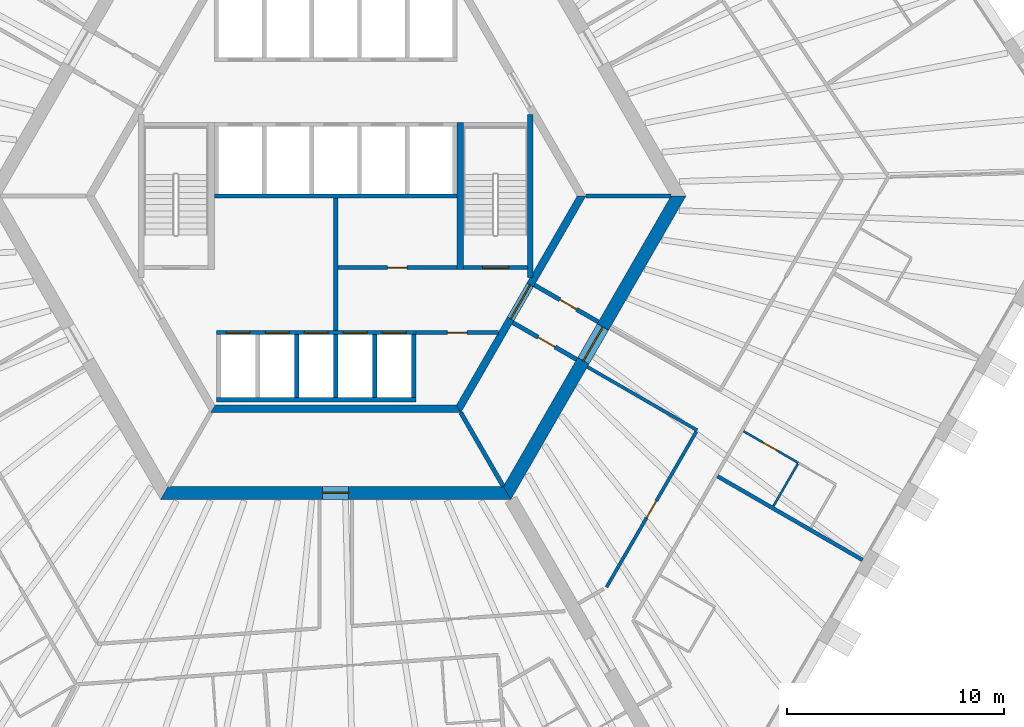
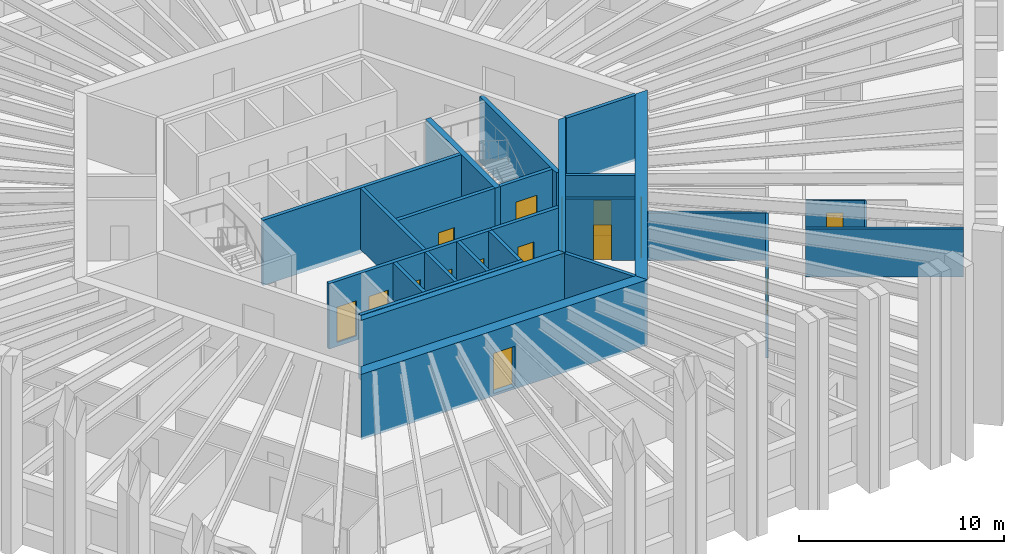
# One storey, part 5 of 13: 26 walls, 15 doors, 15 openings.
"""IFC4 building model written with IfcOpenShell, lengths in metres."""

from ifc_helpers import new_model, si_unit, direction, frame, frame_2d, origin, place, context, subcontext, project, spatial, polyline, rectangle, outline, extrude, material, layer, layer_set, type_object, element, fill, save


model = new_model("IFC4")

# Units and contexts
model_context = context("Model", 3, precision=1e-05, world=origin(), true_north=direction((0.0, 1.0)))
body_context = subcontext(model_context, "Body", "Model", "MODEL_VIEW")
ifc_project = project(units=[si_unit("LENGTHUNIT", "METRE"), si_unit("AREAUNIT", "SQUARE_METRE"), si_unit("VOLUMEUNIT", "CUBIC_METRE"), si_unit("PLANEANGLEUNIT", "RADIAN"), si_unit("MASSUNIT", "GRAM", prefix="KILO")], contexts=[model_context])

# Site, building, storey
site_placement = place(None, origin())
site = spatial("IfcSite", under=ifc_project, at=site_placement, CompositionType="ELEMENT")
building_placement = place(site_placement, origin())
building = spatial("IfcBuilding", under=site, at=building_placement, Name="Tarnside Tower", CompositionType="ELEMENT")
storey_placement = place(building_placement, frame((0.0, 0.0, 135.0)))
storey = spatial("IfcBuildingStorey", under=building, at=storey_placement, Name="L31", CompositionType="ELEMENT", Elevation=135.0)

# Wall, opening, door
ifc_material_1 = material(Name="Gypsum board partition on steel studs", Category="steel")
ifc_layer_1 = layer(ifc_material_1, 0.10009765625)
ifc_layer_set_1 = layer_set([ifc_layer_1], Name="Bathroom wall 100")
wall_type_1 = type_object("IfcWallType", Name="Bathroom wall 100", PredefinedType="PARTITIONING", material=ifc_layer_set_1)
wall_1_placement = place(storey_placement, frame((18.81982421875, -10.85302734375, 0.0), z_axis=(0.0, 0.0, 1.0), x_axis=(0.866046596414, -0.499963291492, 0.0)))
wall_1 = element("IfcWall", 1, at=wall_1_placement, inside=storey, type_object=wall_type_1, Name="Bathroom wall 10138", PredefinedType="PARTITIONING", context=body_context, shape_type="SweptSolid", body=[
    extrude(rectangle(XDim=2.925048828125, YDim=0.10009765625, at=frame_2d((1.46240234375, 0.0))), origin(), (0.0, 0.0, 1.0), 2.837890625),
])
opening_1_placement = place(wall_1_placement, frame((1.02490234375, 0.0, 0.0)))
opening_1 = element("IfcOpeningElement", 2, at=opening_1_placement, cuts=wall_1, Name="Opening D-B1", PredefinedType="OPENING", context=body_context, shape_type="SweptSolid", body=[
    extrude(rectangle(XDim=0.800048828125, YDim=2.10009765625, at=frame_2d((0.39990234375, 1.050048828125))), frame((0.0, 0.06005859375, 0.0), z_axis=(0.0, -1.0, 0.0), x_axis=(1.0, 0.0, 0.0)), (0.0, 0.0, 1.0), 0.1201171875),
])
ifc_material_2 = material(Name="Timber door leaf", Category="wood")
door_type_1 = type_object("IfcDoorType", Name="Bathroom door 800", OperationType="NOTDEFINED", PredefinedType="DOOR", material=ifc_material_2)
door_1_placement = place(opening_1_placement, origin())
door_1 = element("IfcDoor", 3, at=door_1_placement, inside=storey, type_object=door_type_1, Name="Bathroom door 10032", OperationType="SINGLE_SWING_RIGHT", OverallHeight=2.10009765625, OverallWidth=0.800048828125, PredefinedType="DOOR", context=body_context, shape_type="SweptSolid", body=[
    extrude(rectangle(XDim=0.800048828125, YDim=2.10009765625, at=frame_2d((0.39990234375, 1.050048828125))), frame((0.0, 0.02490234375, 0.0), z_axis=(0.0, -1.0, 0.0), x_axis=(1.0, 0.0, 0.0)), (0.0, 0.0, 1.0), 0.050048828125),
])
fill(opening_1, door_1)

# Walls
wall_2_placement = place(storey_placement, frame((20.197998046875, -14.31591796875, 0.0), z_axis=(0.0, 0.0, 1.0), x_axis=(0.500031020067, 0.8660074936, 0.0)))
element("IfcWall", 4, at=wall_2_placement, inside=storey, type_object=wall_type_1, Name="Bathroom wall 10143", PredefinedType="PARTITIONING", context=body_context, shape_type="SweptSolid", body=[
    extrude(rectangle(XDim=2.260009765625, YDim=0.10009765625, at=frame_2d((1.1298828125, 0.0))), origin(), (0.0, 0.0, 1.0), 2.837890625),
])
ifc_material_3 = material(Name="Concrete C50/60", Category="concrete")
ifc_layer_2 = layer(ifc_material_3, 0.35009765625)
ifc_layer_set_2 = layer_set([ifc_layer_2], Name="Core block wall 350 C50/60")
wall_type_2 = type_object("IfcWallType", Name="Core block wall 350 C50/60", PredefinedType="SHEAR", material=ifc_layer_set_2)
wall_3_placement = place(storey_placement, frame((-5.672607421875, -9.824951171875, -0.14990234375), z_axis=(0.0, 0.0, 1.0), x_axis=(1.0, 0.0, 0.0)))
element("IfcWall", 5, at=wall_3_placement, inside=storey, type_object=wall_type_2, Name="L31 core block wall face 4", PredefinedType="SHEAR", context=body_context, shape_type="SweptSolid", body=[
    extrude(outline(polyline([(-0.10107421875, -0.175048828125), (11.4462890625, -0.175048828125), (11.244140625, 0.175048828125), (0.10107421875, 0.175048828125), (-0.10107421875, -0.175048828125)])), origin(), (0.0, 0.0, 1.0), 3.89990234375),
])

# Wall, opening, door
wall_4_placement = place(storey_placement, frame((5.672607421875, -9.824951171875, -0.14990234375), z_axis=(0.0, 0.0, 1.0), x_axis=(0.499995046907, 0.866028263435, 0.0)))
wall_4 = element("IfcWall", 6, at=wall_4_placement, inside=storey, type_object=wall_type_2, Name="L31 core block wall face 5", PredefinedType="SHEAR", context=body_context, shape_type="SweptSolid", body=[
    extrude(outline(polyline([(-0.10107421875, -0.175048828125), (11.44580078125, -0.175048828125), (11.24365234375, 0.175048828125), (0.10107421875, 0.175048828125), (-0.10107421875, -0.175048828125)])), origin(), (0.0, 0.0, 1.0), 3.89990234375),
])
opening_2_placement = place(wall_4_placement, frame((4.80126953125, 0.0, 0.14990234375)))
opening_2 = element("IfcOpeningElement", 7, at=opening_2_placement, cuts=wall_4, Name="Opening CD-FFL", PredefinedType="OPENING", context=body_context, shape_type="SweptSolid", body=[
    extrude(rectangle(XDim=1.800048828125, YDim=2.39990234375, at=frame_2d((0.89990234375, 1.199951171875))), frame((0.0, 0.18505859375, 0.0), z_axis=(0.0, -1.0, 0.0), x_axis=(1.0, 0.0, 0.0)), (0.0, 0.0, 1.0), 0.3701171875),
])
ifc_material_4 = material(Name="Steel fire door", Category="steel")
door_type_2 = type_object("IfcDoorType", Name="Firefighting lobby double door FD60S 1800x2400", OperationType="NOTDEFINED", PredefinedType="DOOR", material=ifc_material_4)
door_2_placement = place(opening_2_placement, origin())
door_2 = element("IfcDoor", 8, at=door_2_placement, inside=storey, type_object=door_type_2, Name="L31 lobby block door P4", OperationType="DOUBLE_DOOR_SINGLE_SWING", OverallHeight=2.39990234375, OverallWidth=1.800048828125, PredefinedType="DOOR", context=body_context, shape_type="SweptSolid", body=[
    extrude(rectangle(XDim=1.800048828125, YDim=2.39990234375, at=frame_2d((0.89990234375, 1.199951171875))), frame((0.0, 0.02490234375, 0.0), z_axis=(0.0, -1.0, 0.0), x_axis=(1.0, 0.0, 0.0)), (0.0, 0.0, 1.0), 0.050048828125),
])
fill(opening_2, door_2)

ifc_material_5 = material(Name="Concrete C40/50", Category="concrete")
ifc_layer_3 = layer(ifc_material_5, 0.199951171875)
ifc_layer_set_3 = layer_set([ifc_layer_3], Name="Core room partition 200 C40/50")
wall_type_3 = type_object("IfcWallType", Name="Core room partition 200 C40/50", PredefinedType="PARTITIONING", material=ifc_layer_set_3)
wall_5_placement = place(storey_placement, frame((0.10009765625, -3.300048828125, 0.0), z_axis=(0.0, 0.0, 1.0), x_axis=(1.0, 0.0, 0.0)))
wall_5 = element("IfcWall", 9, at=wall_5_placement, inside=storey, type_object=wall_type_3, Name="L31 core partition R3S1", PredefinedType="PARTITIONING", context=body_context, shape_type="SweptSolid", body=[
    extrude(rectangle(XDim=5.5, YDim=0.199951171875, at=frame_2d((2.75, 0.0))), origin(), (0.0, 0.0, 1.0), 3.64990234375),
])
opening_3_placement = place(wall_5_placement, frame((2.300048828125, 0.0, 0.0)))
opening_3 = element("IfcOpeningElement", 10, at=opening_3_placement, cuts=wall_5, Name="Opening CD-room", PredefinedType="OPENING", context=body_context, shape_type="SweptSolid", body=[
    extrude(rectangle(XDim=0.89990234375, YDim=2.10009765625, at=frame_2d((0.449951171875, 1.050048828125))), frame((0.0, 0.10986328125, 0.0), z_axis=(0.0, -1.0, 0.0), x_axis=(1.0, 0.0, 0.0)), (0.0, 0.0, 1.0), 0.219970703125),
])
door_type_3 = type_object("IfcDoorType", Name="Room door FD60 900x2100", OperationType="NOTDEFINED", PredefinedType="DOOR", material=ifc_material_4)
door_3_placement = place(opening_3_placement, origin())
door_3 = element("IfcDoor", 11, at=door_3_placement, inside=storey, type_object=door_type_3, Name="L31 core room door SR1", OperationType="SINGLE_SWING_LEFT", OverallHeight=2.10009765625, OverallWidth=0.89990234375, PredefinedType="DOOR", context=body_context, shape_type="SweptSolid", body=[
    extrude(rectangle(XDim=0.89990234375, YDim=2.10009765625, at=frame_2d((0.449951171875, 1.050048828125))), frame((0.0, 0.02490234375, 0.0), z_axis=(0.0, -1.0, 0.0), x_axis=(1.0, 0.0, 0.0)), (0.0, 0.0, 1.0), 0.050048828125),
])
fill(opening_3, door_3)

# Wall
wall_6_placement = place(storey_placement, frame((0.0, -6.199951171875, 0.0), z_axis=(0.0, 0.0, 1.0), x_axis=(0.0, 1.0, 0.0)))
element("IfcWall", 12, at=wall_6_placement, inside=storey, type_object=wall_type_3, Name="L31 core partition X0", PredefinedType="PARTITIONING", context=body_context, shape_type="SweptSolid", body=[
    extrude(rectangle(XDim=6.099853515625, YDim=0.199951171875, at=frame_2d((3.0498046875, 0.0))), origin(), (0.0, 0.0, 1.0), 3.64990234375),
])

# Wall, opening, door
wall_7_placement = place(storey_placement, frame((3.699951171875, -6.300048828125, 0.0), z_axis=(0.0, 0.0, 1.0), x_axis=(1.0, 0.0, 0.0)))
wall_7 = element("IfcWall", 13, at=wall_7_placement, inside=storey, type_object=wall_type_3, Name="L31 core partition R4X", PredefinedType="PARTITIONING", context=body_context, shape_type="SweptSolid", body=[
    extrude(rectangle(XDim=3.8056640625, YDim=0.199951171875, at=frame_2d((1.90283203125, 0.0))), origin(), (0.0, 0.0, 1.0), 3.64990234375),
])
opening_4_placement = place(wall_7_placement, frame((1.452880859375, 0.0, 0.0)))
opening_4 = element("IfcOpeningElement", 14, at=opening_4_placement, cuts=wall_7, Name="Opening CD-room", PredefinedType="OPENING", context=body_context, shape_type="SweptSolid", body=[
    extrude(rectangle(XDim=0.89990234375, YDim=2.10009765625, at=frame_2d((0.449951171875, 1.050048828125))), frame((0.0, 0.10986328125, 0.0), z_axis=(0.0, -1.0, 0.0), x_axis=(1.0, 0.0, 0.0)), (0.0, 0.0, 1.0), 0.219970703125),
])
door_4_placement = place(opening_4_placement, origin())
door_4 = element("IfcDoor", 15, at=door_4_placement, inside=storey, type_object=door_type_3, Name="L31 core room door RX", OperationType="SINGLE_SWING_LEFT", OverallHeight=2.10009765625, OverallWidth=0.89990234375, PredefinedType="DOOR", context=body_context, shape_type="SweptSolid", body=[
    extrude(rectangle(XDim=0.89990234375, YDim=2.10009765625, at=frame_2d((0.449951171875, 1.050048828125))), frame((0.0, 0.02490234375, 0.0), z_axis=(0.0, -1.0, 0.0), x_axis=(1.0, 0.0, 0.0)), (0.0, 0.0, 1.0), 0.050048828125),
])
fill(opening_4, door_4)

wall_8_placement = place(storey_placement, frame((9.1748046875, -4.10888671875, 0.0), z_axis=(0.0, 0.0, 1.0), x_axis=(0.865989465428, -0.500062241894, 0.0)))
wall_8 = element("IfcWall", 16, at=wall_8_placement, inside=storey, type_object=wall_type_3, Name="L31 core partition AC4L", PredefinedType="PARTITIONING", context=body_context, shape_type="SweptSolid", body=[
    extrude(rectangle(XDim=3.39990234375, YDim=0.199951171875, at=frame_2d((1.699951171875, 0.0))), origin(), (0.0, 0.0, 1.0), 3.64990234375),
])
opening_5_placement = place(wall_8_placement, frame((1.3505859375, 0.0, 0.0)))
opening_5 = element("IfcOpeningElement", 17, at=opening_5_placement, cuts=wall_8, Name="Opening CD-room", PredefinedType="OPENING", context=body_context, shape_type="SweptSolid", body=[
    extrude(rectangle(XDim=0.89990234375, YDim=2.10009765625, at=frame_2d((0.449951171875, 1.050048828125))), frame((0.0, 0.10986328125, 0.0), z_axis=(0.0, -1.0, 0.0), x_axis=(1.0, 0.0, 0.0)), (0.0, 0.0, 1.0), 0.219970703125),
])
door_5_placement = place(opening_5_placement, origin())
door_5 = element("IfcDoor", 18, at=door_5_placement, inside=storey, type_object=door_type_3, Name="L31 core room door AX4L", OperationType="SINGLE_SWING_LEFT", OverallHeight=2.10009765625, OverallWidth=0.89990234375, PredefinedType="DOOR", context=body_context, shape_type="SweptSolid", body=[
    extrude(rectangle(XDim=0.89990234375, YDim=2.10009765625, at=frame_2d((0.449951171875, 1.050048828125))), frame((0.0, 0.02490234375, 0.0), z_axis=(0.0, -1.0, 0.0), x_axis=(1.0, 0.0, 0.0)), (0.0, 0.0, 1.0), 0.050048828125),
])
fill(opening_5, door_5)

wall_9_placement = place(storey_placement, frame((8.1748046875, -5.841064453125, 0.0), z_axis=(0.0, 0.0, 1.0), x_axis=(0.866020560687, -0.500008388397, 0.0)))
wall_9 = element("IfcWall", 19, at=wall_9_placement, inside=storey, type_object=wall_type_3, Name="L31 core partition AC4R", PredefinedType="PARTITIONING", context=body_context, shape_type="SweptSolid", body=[
    extrude(rectangle(XDim=3.39990234375, YDim=0.199951171875, at=frame_2d((1.699951171875, 0.0))), origin(), (0.0, 0.0, 1.0), 3.64990234375),
])
opening_6_placement = place(wall_9_placement, frame((1.349609375, 0.0, 0.0)))
opening_6 = element("IfcOpeningElement", 20, at=opening_6_placement, cuts=wall_9, Name="Opening CD-room", PredefinedType="OPENING", context=body_context, shape_type="SweptSolid", body=[
    extrude(rectangle(XDim=0.89990234375, YDim=2.10009765625, at=frame_2d((0.449951171875, 1.050048828125))), frame((0.0, 0.10986328125, 0.0), z_axis=(0.0, -1.0, 0.0), x_axis=(1.0, 0.0, 0.0)), (0.0, 0.0, 1.0), 0.219970703125),
])
door_6_placement = place(opening_6_placement, origin())
door_6 = element("IfcDoor", 21, at=door_6_placement, inside=storey, type_object=door_type_3, Name="L31 core room door AX4R", OperationType="SINGLE_SWING_LEFT", OverallHeight=2.10009765625, OverallWidth=0.89990234375, PredefinedType="DOOR", context=body_context, shape_type="SweptSolid", body=[
    extrude(rectangle(XDim=0.89990234375, YDim=2.10009765625, at=frame_2d((0.449951171875, 1.050048828125))), frame((0.0, 0.02490234375, 0.0), z_axis=(0.0, -1.0, 0.0), x_axis=(1.0, 0.0, 0.0)), (0.0, 0.0, 1.0), 0.050048828125),
])
fill(opening_6, door_6)

ifc_material_6 = material(Name="Concrete C80/95", Category="concrete")
ifc_layer_4 = layer(ifc_material_6, 0.60009765625)
ifc_layer_set_4 = layer_set([ifc_layer_4], Name="Core wall Z1 600 C80/95")
wall_type_4 = type_object("IfcWallType", Name="Core wall Z1 600 C80/95", PredefinedType="SHEAR", material=ifc_layer_set_4)
wall_10_placement = place(storey_placement, frame((-7.90966796875, -13.699951171875, -0.14990234375), z_axis=(0.0, 0.0, 1.0), x_axis=(1.0, 0.0, 0.0)))
wall_10 = element("IfcWall", 22, at=wall_10_placement, inside=storey, type_object=wall_type_4, Name="L31 core wall face 4", PredefinedType="SHEAR", context=body_context, shape_type="SweptSolid", body=[
    extrude(outline(polyline([(-0.17333984375, -0.300048828125), (15.99267578125, -0.300048828125), (15.64599609375, 0.300048828125), (0.17333984375, 0.300048828125), (-0.17333984375, -0.300048828125)])), origin(), (0.0, 0.0, 1.0), 3.89990234375),
])
opening_7_placement = place(wall_10_placement, frame((7.309814453125, 0.0, 0.14990234375)))
opening_7 = element("IfcOpeningElement", 23, at=opening_7_placement, cuts=wall_10, Name="Opening CD-RSR", PredefinedType="OPENING", context=body_context, shape_type="SweptSolid", body=[
    extrude(rectangle(XDim=1.199951171875, YDim=2.39990234375, at=frame_2d((0.60009765625, 1.199951171875))), frame((0.0, 0.31005859375, 0.0), z_axis=(0.0, -1.0, 0.0), x_axis=(1.0, 0.0, 0.0)), (0.0, 0.0, 1.0), 0.6201171875),
])
door_type_4 = type_object("IfcDoorType", Name="Riser door FD60 1200x2400", OperationType="NOTDEFINED", PredefinedType="DOOR", material=ifc_material_4)
door_7_placement = place(opening_7_placement, origin())
door_7 = element("IfcDoor", 24, at=door_7_placement, inside=storey, type_object=door_type_4, Name="L31 core door S6", OperationType="SINGLE_SWING_LEFT", OverallHeight=2.39990234375, OverallWidth=1.199951171875, PredefinedType="DOOR", context=body_context, shape_type="SweptSolid", body=[
    extrude(rectangle(XDim=1.199951171875, YDim=2.39990234375, at=frame_2d((0.60009765625, 1.199951171875))), frame((0.0, 0.02490234375, 0.0), z_axis=(0.0, -1.0, 0.0), x_axis=(1.0, 0.0, 0.0)), (0.0, 0.0, 1.0), 0.050048828125),
])
fill(opening_7, door_7)

wall_11_placement = place(storey_placement, frame((7.90966796875, -13.699951171875, -0.14990234375), z_axis=(0.0, 0.0, 1.0), x_axis=(0.499999880136, 0.866025472988, 0.0)))
wall_11 = element("IfcWall", 25, at=wall_11_placement, inside=storey, type_object=wall_type_4, Name="L31 core wall face 5", PredefinedType="SHEAR", context=body_context, shape_type="SweptSolid", body=[
    extrude(outline(polyline([(-0.17333984375, -0.300048828125), (15.99267578125, -0.300048828125), (15.64599609375, 0.300048828125), (0.17333984375, 0.300048828125), (-0.17333984375, -0.300048828125)])), origin(), (0.0, 0.0, 1.0), 3.89990234375),
])
opening_8_placement = place(wall_11_placement, frame((7.03857421875, 0.0, 0.14990234375)))
opening_8 = element("IfcOpeningElement", 26, at=opening_8_placement, cuts=wall_11, Name="Opening CD-FFL", PredefinedType="OPENING", context=body_context, shape_type="SweptSolid", body=[
    extrude(rectangle(XDim=1.800048828125, YDim=2.39990234375, at=frame_2d((0.89990234375, 1.199951171875))), frame((0.0, 0.31005859375, 0.0), z_axis=(0.0, -1.0, 0.0), x_axis=(1.0, 0.0, 0.0)), (0.0, 0.0, 1.0), 0.6201171875),
])
door_8_placement = place(opening_8_placement, origin())
door_8 = element("IfcDoor", 27, at=door_8_placement, inside=storey, type_object=door_type_2, Name="L31 core door P4", OperationType="DOUBLE_DOOR_SINGLE_SWING", OverallHeight=2.39990234375, OverallWidth=1.800048828125, PredefinedType="DOOR", context=body_context, shape_type="SweptSolid", body=[
    extrude(rectangle(XDim=1.800048828125, YDim=2.39990234375, at=frame_2d((0.89990234375, 1.199951171875))), frame((0.0, 0.02490234375, 0.0), z_axis=(0.0, -1.0, 0.0), x_axis=(1.0, 0.0, 0.0)), (0.0, 0.0, 1.0), 0.050048828125),
])
fill(opening_8, door_8)

# Wall
ifc_layer_5 = layer(ifc_material_1, 0.14990234375)
ifc_layer_set_5 = layer_set([ifc_layer_5], Name="Corridor wall 150 EI 60")
wall_type_5 = type_object("IfcWallType", Name="Corridor wall 150 EI 60", PredefinedType="PARTITIONING", material=ifc_layer_set_5)
wall_12_placement = place(storey_placement, frame((11.61376953125, -7.88427734375, 0.0), z_axis=(0.0, 0.0, 1.0), x_axis=(0.866018092707, -0.500012662943, 0.0)))
element("IfcWall", 28, at=wall_12_placement, inside=storey, type_object=wall_type_5, Name="Corridor wall 10071", PredefinedType="PARTITIONING", context=body_context, shape_type="SweptSolid", body=[
    extrude(rectangle(XDim=5.849853515625, YDim=0.14990234375, at=frame_2d((2.9248046875, 0.0))), origin(), (0.0, 0.0, 1.0), 2.837890625),
])

# Wall, opening, door
wall_13_placement = place(storey_placement, frame((16.642578125, -10.874267578125, 0.0), z_axis=(0.0, 0.0, 1.0), x_axis=(-0.50000192383, -0.866024293058, 0.0)))
wall_13 = element("IfcWall", 29, at=wall_13_placement, inside=storey, type_object=wall_type_5, Name="Corridor wall 10072", PredefinedType="PARTITIONING", context=body_context, shape_type="SweptSolid", body=[
    extrude(rectangle(XDim=8.29296875, YDim=0.14990234375, at=frame_2d((4.146484375, 0.0))), origin(), (0.0, 0.0, 1.0), 2.837890625),
])
opening_9_placement = place(wall_13_placement, frame((3.696533203125, 0.0, 0.0)))
opening_9 = element("IfcOpeningElement", 30, at=opening_9_placement, cuts=wall_13, Name="Opening D-S1", PredefinedType="OPENING", context=body_context, shape_type="SweptSolid", body=[
    extrude(rectangle(XDim=0.89990234375, YDim=2.10009765625, at=frame_2d((0.449951171875, 1.050048828125))), frame((0.0, 0.0849609375, 0.0), z_axis=(0.0, -1.0, 0.0), x_axis=(1.0, 0.0, 0.0)), (0.0, 0.0, 1.0), 0.169921875),
])
door_type_5 = type_object("IfcDoorType", Name="Service room door 900 FD30S", OperationType="NOTDEFINED", PredefinedType="DOOR", material=ifc_material_2)
door_9_placement = place(opening_9_placement, origin())
door_9 = element("IfcDoor", 31, at=door_9_placement, inside=storey, type_object=door_type_5, Name="Service door 10049", OperationType="SINGLE_SWING_RIGHT", OverallHeight=2.10009765625, OverallWidth=0.89990234375, PredefinedType="DOOR", context=body_context, shape_type="SweptSolid", body=[
    extrude(rectangle(XDim=0.89990234375, YDim=2.10009765625, at=frame_2d((0.449951171875, 1.050048828125))), frame((0.0, 0.02490234375, 0.0), z_axis=(0.0, -1.0, 0.0), x_axis=(1.0, 0.0, 0.0)), (0.0, 0.0, 1.0), 0.050048828125),
])
fill(opening_9, door_9)

# Walls
ifc_layer_6 = layer(ifc_material_1, 0.179931640625)
ifc_layer_set_6 = layer_set([ifc_layer_6], Name="Demising wall 180 EI 60")
wall_type_6 = type_object("IfcWallType", Name="Demising wall 180 EI 60", PredefinedType="PARTITIONING", material=ifc_layer_set_6)
wall_14_placement = place(storey_placement, frame((24.31005859375, -16.7939453125, 0.0), z_axis=(0.0, 0.0, 1.0), x_axis=(-0.866027174938, 0.499996932259, 0.0)))
element("IfcWall", 32, at=wall_14_placement, inside=storey, type_object=wall_type_6, Name="Demising wall 10135", PredefinedType="PARTITIONING", context=body_context, shape_type="SweptSolid", body=[
    extrude(rectangle(XDim=7.72509765625, YDim=0.179931640625, at=frame_2d((3.862548828125, 0.0))), origin(), (0.0, 0.0, 1.0), 2.837890625),
])
ifc_layer_7 = layer(ifc_material_5, 0.199951171875)
ifc_layer_set_7 = layer_set([ifc_layer_7], Name="Lift shaft wall 200 C40/50")
wall_type_7 = type_object("IfcWallType", Name="Lift shaft wall 200 C40/50", PredefinedType="SHEAR", material=ifc_layer_set_7)
wall_15_placement = place(storey_placement, frame((-5.60009765625, 0.0, -0.25), z_axis=(0.0, 0.0, 1.0), x_axis=(1.0, 0.0, 0.0)))
element("IfcWall", 33, at=wall_15_placement, inside=storey, type_object=wall_type_7, Name="L31 lift shaft back wall R2", PredefinedType="SHEAR", context=body_context, shape_type="SweptSolid", body=[
    extrude(rectangle(XDim=11.2001953125, YDim=0.199951171875, at=frame_2d((5.60009765625, 0.0))), origin(), (0.0, 0.0, 1.0), 3.89990234375),
])

# Wall, openings, doors
wall_16_placement = place(storey_placement, frame((-5.5, -6.300048828125, -0.25), z_axis=(0.0, 0.0, 1.0), x_axis=(1.0, 0.0, 0.0)))
wall_16 = element("IfcWall", 34, at=wall_16_placement, inside=storey, type_object=wall_type_7, Name="L31 lift shaft front wall R4", PredefinedType="SHEAR", context=body_context, shape_type="SweptSolid", body=[
    extrude(rectangle(XDim=9.199951171875, YDim=0.199951171875, at=frame_2d((4.60009765625, 0.0))), origin(), (0.0, 0.0, 1.0), 3.89990234375),
])
opening_10_placement = place(wall_16_placement, frame((0.449951171875, 0.0, 0.25)))
opening_10 = element("IfcOpeningElement", 35, at=opening_10_placement, cuts=wall_16, Name="Opening LDF", PredefinedType="OPENING", context=body_context, shape_type="SweptSolid", body=[
    extrude(rectangle(XDim=1.10009765625, YDim=2.10009765625, at=frame_2d((0.550048828125, 1.050048828125))), frame((0.0, 0.10986328125, 0.0), z_axis=(0.0, -1.0, 0.0), x_axis=(1.0, 0.0, 0.0)), (0.0, 0.0, 1.0), 0.219970703125),
])
opening_11_placement = place(wall_16_placement, frame((2.25, 0.0, 0.25)))
opening_11 = element("IfcOpeningElement", 36, at=opening_11_placement, cuts=wall_16, Name="Opening LDF", PredefinedType="OPENING", context=body_context, shape_type="SweptSolid", body=[
    extrude(rectangle(XDim=1.10009765625, YDim=2.10009765625, at=frame_2d((0.550048828125, 1.050048828125))), frame((0.0, 0.10986328125, 0.0), z_axis=(0.0, -1.0, 0.0), x_axis=(1.0, 0.0, 0.0)), (0.0, 0.0, 1.0), 0.219970703125),
])
opening_12_placement = place(wall_16_placement, frame((4.050048828125, 0.0, 0.25)))
opening_12 = element("IfcOpeningElement", 37, at=opening_12_placement, cuts=wall_16, Name="Opening LDF", PredefinedType="OPENING", context=body_context, shape_type="SweptSolid", body=[
    extrude(rectangle(XDim=1.10009765625, YDim=2.10009765625, at=frame_2d((0.550048828125, 1.050048828125))), frame((0.0, 0.10986328125, 0.0), z_axis=(0.0, -1.0, 0.0), x_axis=(1.0, 0.0, 0.0)), (0.0, 0.0, 1.0), 0.219970703125),
])
opening_13_placement = place(wall_16_placement, frame((5.85009765625, 0.0, 0.25)))
opening_13 = element("IfcOpeningElement", 38, at=opening_13_placement, cuts=wall_16, Name="Opening LDF", PredefinedType="OPENING", context=body_context, shape_type="SweptSolid", body=[
    extrude(rectangle(XDim=1.10009765625, YDim=2.10009765625, at=frame_2d((0.550048828125, 1.050048828125))), frame((0.0, 0.10986328125, 0.0), z_axis=(0.0, -1.0, 0.0), x_axis=(1.0, 0.0, 0.0)), (0.0, 0.0, 1.0), 0.219970703125),
])
opening_14_placement = place(wall_16_placement, frame((7.64990234375, 0.0, 0.25)))
opening_14 = element("IfcOpeningElement", 39, at=opening_14_placement, cuts=wall_16, Name="Opening LDF", PredefinedType="OPENING", context=body_context, shape_type="SweptSolid", body=[
    extrude(rectangle(XDim=1.10009765625, YDim=2.10009765625, at=frame_2d((0.550048828125, 1.050048828125))), frame((0.0, 0.10986328125, 0.0), z_axis=(0.0, -1.0, 0.0), x_axis=(1.0, 0.0, 0.0)), (0.0, 0.0, 1.0), 0.219970703125),
])
ifc_material_7 = material(Name="Stainless steel", Category="steel")
door_type_6 = type_object("IfcDoorType", Name="Lift landing door 1100x2100 EI 120", OperationType="NOTDEFINED", PredefinedType="DOOR", material=ifc_material_7)
door_10_placement = place(opening_10_placement, origin())
door_10 = element("IfcDoor", 40, at=door_10_placement, inside=storey, type_object=door_type_6, Name="Firefighting lift 1 landing door L31", OperationType="SLIDING_TO_LEFT", OverallHeight=2.10009765625, OverallWidth=1.10009765625, PredefinedType="DOOR", context=body_context, shape_type="SweptSolid", body=[
    extrude(rectangle(XDim=1.10009765625, YDim=2.10009765625, at=frame_2d((0.550048828125, 1.050048828125))), frame((0.0, 0.02490234375, 0.0), z_axis=(0.0, -1.0, 0.0), x_axis=(1.0, 0.0, 0.0)), (0.0, 0.0, 1.0), 0.050048828125),
])
fill(opening_10, door_10)
door_11_placement = place(opening_11_placement, origin())
door_11 = element("IfcDoor", 41, at=door_11_placement, inside=storey, type_object=door_type_6, Name="Firefighting lift 2 landing door L31", OperationType="SLIDING_TO_LEFT", OverallHeight=2.10009765625, OverallWidth=1.10009765625, PredefinedType="DOOR", context=body_context, shape_type="SweptSolid", body=[
    extrude(rectangle(XDim=1.10009765625, YDim=2.10009765625, at=frame_2d((0.550048828125, 1.050048828125))), frame((0.0, 0.02490234375, 0.0), z_axis=(0.0, -1.0, 0.0), x_axis=(1.0, 0.0, 0.0)), (0.0, 0.0, 1.0), 0.050048828125),
])
fill(opening_11, door_11)
door_12_placement = place(opening_12_placement, origin())
door_12 = element("IfcDoor", 42, at=door_12_placement, inside=storey, type_object=door_type_6, Name="Firefighting lift 3 landing door L31", OperationType="SLIDING_TO_LEFT", OverallHeight=2.10009765625, OverallWidth=1.10009765625, PredefinedType="DOOR", context=body_context, shape_type="SweptSolid", body=[
    extrude(rectangle(XDim=1.10009765625, YDim=2.10009765625, at=frame_2d((0.550048828125, 1.050048828125))), frame((0.0, 0.02490234375, 0.0), z_axis=(0.0, -1.0, 0.0), x_axis=(1.0, 0.0, 0.0)), (0.0, 0.0, 1.0), 0.050048828125),
])
fill(opening_12, door_12)
door_13_placement = place(opening_13_placement, origin())
door_13 = element("IfcDoor", 43, at=door_13_placement, inside=storey, type_object=door_type_6, Name="Firefighting lift 4 landing door L31", OperationType="SLIDING_TO_LEFT", OverallHeight=2.10009765625, OverallWidth=1.10009765625, PredefinedType="DOOR", context=body_context, shape_type="SweptSolid", body=[
    extrude(rectangle(XDim=1.10009765625, YDim=2.10009765625, at=frame_2d((0.550048828125, 1.050048828125))), frame((0.0, 0.02490234375, 0.0), z_axis=(0.0, -1.0, 0.0), x_axis=(1.0, 0.0, 0.0)), (0.0, 0.0, 1.0), 0.050048828125),
])
fill(opening_13, door_13)
door_14_placement = place(opening_14_placement, origin())
door_14 = element("IfcDoor", 44, at=door_14_placement, inside=storey, type_object=door_type_6, Name="Firefighting lift 5 landing door L31", OperationType="SLIDING_TO_LEFT", OverallHeight=2.10009765625, OverallWidth=1.10009765625, PredefinedType="DOOR", context=body_context, shape_type="SweptSolid", body=[
    extrude(rectangle(XDim=1.10009765625, YDim=2.10009765625, at=frame_2d((0.550048828125, 1.050048828125))), frame((0.0, 0.02490234375, 0.0), z_axis=(0.0, -1.0, 0.0), x_axis=(1.0, 0.0, 0.0)), (0.0, 0.0, 1.0), 0.050048828125),
])
fill(opening_14, door_14)

# Walls
wall_17_placement = place(storey_placement, frame((-5.5, -9.39990234375, -0.25), z_axis=(0.0, 0.0, 1.0), x_axis=(1.0, 0.0, 0.0)))
element("IfcWall", 45, at=wall_17_placement, inside=storey, type_object=wall_type_7, Name="L31 lift shaft back wall R4", PredefinedType="SHEAR", context=body_context, shape_type="SweptSolid", body=[
    extrude(rectangle(XDim=9.199951171875, YDim=0.199951171875, at=frame_2d((4.60009765625, 0.0))), origin(), (0.0, 0.0, 1.0), 3.89990234375),
])
for number, where, z_axis, x_axis, name in (
    (46, (-1.800048828125, -9.300048828125, -0.25), (0.0, 0.0, 1.0), (0.0, 1.0, 0.0), "L31 lift shaft partition R43"),
    (47, (0.0, -9.300048828125, -0.25), (0.0, 0.0, 1.0), (0.0, 1.0, 0.0), "L31 lift shaft partition R44"),
    (48, (1.800048828125, -9.300048828125, -0.25), (0.0, 0.0, 1.0), (0.0, 1.0, 0.0), "L31 lift shaft partition R45"),
    (49, (3.60009765625, -9.300048828125, -0.25), (0.0, 0.0, 1.0), (0.0, 1.0, 0.0), "L31 lift shaft partition R46"),
):
    element("IfcWall", number, at=place(storey_placement, frame(where, z_axis=z_axis, x_axis=x_axis)), inside=storey, type_object=wall_type_7, Name=name, PredefinedType="SHEAR", context=body_context, shape_type="SweptSolid", body=[
        extrude(rectangle(XDim=2.900146484375, YDim=0.199951171875, at=frame_2d((1.4501953125, 0.0))), origin(), (0.0, 0.0, 1.0), 3.89990234375),
    ])
wall_18_placement = place(storey_placement, frame((11.547119140625, 0.0, -0.14990234375), z_axis=(0.0, 0.0, 1.0), x_axis=(1.0, 0.0, 0.0)))
element("IfcWall", 50, at=wall_18_placement, inside=storey, type_object=wall_type_7, Name="L31 core partition AR0", PredefinedType="SHEAR", context=body_context, shape_type="SweptSolid", body=[
    extrude(rectangle(XDim=3.92578125, YDim=0.199951171875, at=frame_2d((1.962890625, 0.0))), origin(), (0.0, 0.0, 1.0), 3.89990234375),
])
wall_19_placement = place(storey_placement, frame((5.7734375, -10.0, -0.14990234375), z_axis=(0.0, 0.0, 1.0), x_axis=(0.500038251005, -0.86600331843, 0.0)))
element("IfcWall", 51, at=wall_19_placement, inside=storey, type_object=wall_type_7, Name="L31 core partition AR300", PredefinedType="SHEAR", context=body_context, shape_type="SweptSolid", body=[
    extrude(rectangle(XDim=3.926025390625, YDim=0.199951171875, at=frame_2d((1.962890625, 0.0))), origin(), (0.0, 0.0, 1.0), 3.89990234375),
])

# Wall, opening, door
wall_20_placement = place(storey_placement, frame((5.89990234375, -3.300048828125, -0.25), z_axis=(0.0, 0.0, 1.0), x_axis=(1.0, 0.0, 0.0)))
wall_20 = element("IfcWall", 52, at=wall_20_placement, inside=storey, type_object=wall_type_7, Name="L31 stair 1 enclosure cap wall s", PredefinedType="SHEAR", context=body_context, shape_type="SweptSolid", body=[
    extrude(rectangle(XDim=2.9501953125, YDim=0.199951171875, at=frame_2d((1.47509765625, 0.0))), origin(), (0.0, 0.0, 1.0), 3.89990234375),
])
opening_15_placement = place(wall_20_placement, frame((0.875, 0.0, 0.25)))
opening_15 = element("IfcOpeningElement", 53, at=opening_15_placement, cuts=wall_20, Name="Opening CD-STR", PredefinedType="OPENING", context=body_context, shape_type="SweptSolid", body=[
    extrude(rectangle(XDim=1.199951171875, YDim=2.39990234375, at=frame_2d((0.60009765625, 1.199951171875))), frame((0.0, 0.10986328125, 0.0), z_axis=(0.0, -1.0, 0.0), x_axis=(1.0, 0.0, 0.0)), (0.0, 0.0, 1.0), 0.219970703125),
])
door_type_7 = type_object("IfcDoorType", Name="Stair door FD60S 1200x2400", OperationType="NOTDEFINED", PredefinedType="DOOR", material=ifc_material_4)
door_15_placement = place(opening_15_placement, origin())
door_15 = element("IfcDoor", 54, at=door_15_placement, inside=storey, type_object=door_type_7, Name="L31 stair 1 door", OperationType="SINGLE_SWING_LEFT", OverallHeight=2.39990234375, OverallWidth=1.199951171875, PredefinedType="DOOR", context=body_context, shape_type="SweptSolid", body=[
    extrude(rectangle(XDim=1.199951171875, YDim=2.39990234375, at=frame_2d((0.60009765625, 1.199951171875))), frame((0.0, 0.02490234375, 0.0), z_axis=(0.0, -1.0, 0.0), x_axis=(1.0, 0.0, 0.0)), (0.0, 0.0, 1.0), 0.050048828125),
])
fill(opening_15, door_15)

# Walls
ifc_layer_8 = layer(ifc_material_5, 0.25)
ifc_layer_set_8 = layer_set([ifc_layer_8], Name="Stair enclosure wall 250 C40/50")
wall_type_8 = type_object("IfcWallType", Name="Stair enclosure wall 250 C40/50", PredefinedType="SHEAR", material=ifc_layer_set_8)
wall_21_placement = place(storey_placement, frame((8.97509765625, -3.7548828125, -0.25), z_axis=(0.0, 0.0, 1.0), x_axis=(0.0, 1.0, 0.0)))
element("IfcWall", 55, at=wall_21_placement, inside=storey, type_object=wall_type_8, Name="L31 stair 1 enclosure wall outer", PredefinedType="SHEAR", context=body_context, shape_type="SweptSolid", body=[
    extrude(rectangle(XDim=7.509765625, YDim=0.25, at=frame_2d((3.7548828125, 0.0))), origin(), (0.0, 0.0, 1.0), 3.89990234375),
])
ifc_layer_9 = layer(ifc_material_5, 0.300048828125)
ifc_layer_set_9 = layer_set([ifc_layer_9], Name="Stair enclosure wall 300 C40/50")
wall_type_9 = type_object("IfcWallType", Name="Stair enclosure wall 300 C40/50", PredefinedType="SHEAR", material=ifc_layer_set_9)
wall_22_placement = place(storey_placement, frame((5.75, -3.39990234375, -0.25), z_axis=(0.0, 0.0, 1.0), x_axis=(0.0, 1.0, 0.0)))
element("IfcWall", 56, at=wall_22_placement, inside=storey, type_object=wall_type_9, Name="L31 stair 1 enclosure wall inner", PredefinedType="SHEAR", context=body_context, shape_type="SweptSolid", body=[
    extrude(rectangle(XDim=6.7998046875, YDim=0.300048828125, at=frame_2d((3.39990234375, 0.0))), origin(), (0.0, 0.0, 1.0), 3.89990234375),
])

save(model, "model.ifc")
